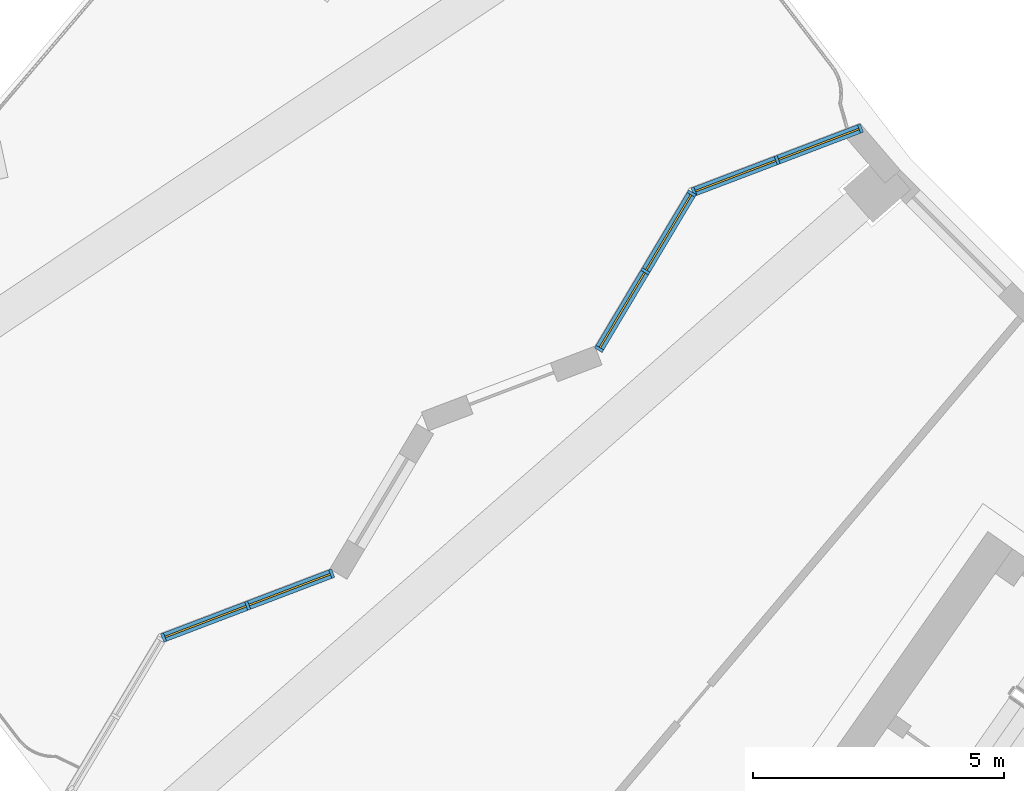
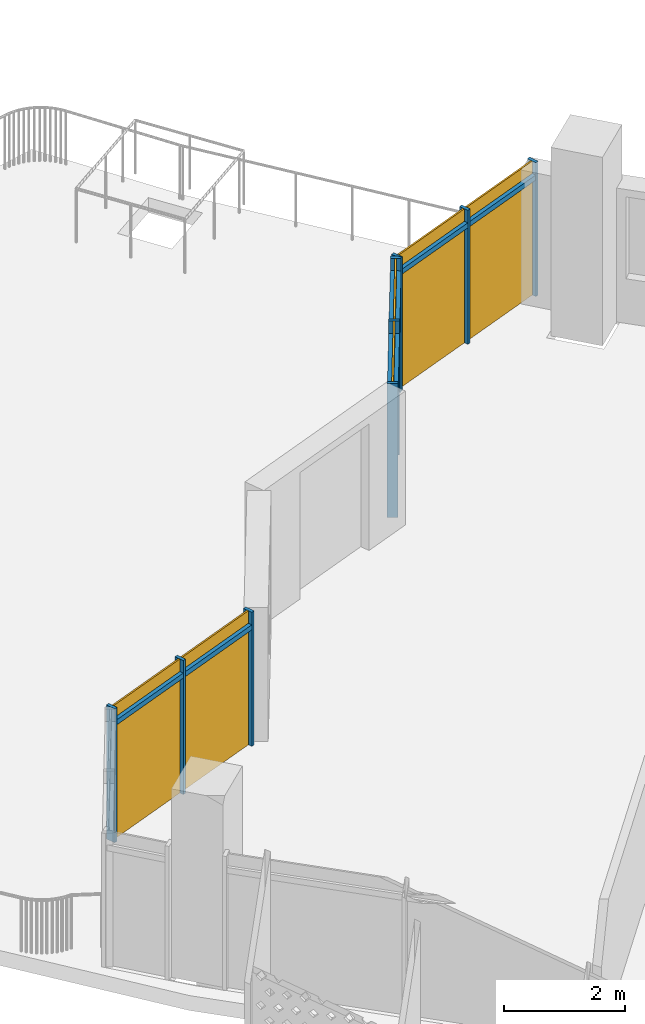
# One storey, part 18 of 29: 15 members, 3 curtain walls.
"""IFC4 building model written with IfcOpenShell, lengths in metres."""

from ifc_helpers import new_model, si_unit, direction, frame, origin, origin_2d, place, context, subcontext, project, spatial, rectangle, extrude, material, material_profile, profile_set, type_object, element, aggregate, save


model = new_model("IFC4")

# Units and contexts
model_context = context("Model", 3, precision=1e-05, world=origin(), true_north=direction((0.0, 1.0)))
body_context = subcontext(model_context, "Body", "Model", "MODEL_VIEW")
ifc_project = project(units=[si_unit("LENGTHUNIT", "METRE"), si_unit("AREAUNIT", "SQUARE_METRE"), si_unit("VOLUMEUNIT", "CUBIC_METRE"), si_unit("PLANEANGLEUNIT", "RADIAN"), si_unit("MASSUNIT", "GRAM", prefix="KILO")], contexts=[model_context])

# Member
ifc_material = material(Name="Aluminium 6063-T6 anodised", Category="aluminium")
ifc_material_profile_1 = material_profile(ifc_material, rectangle(XDim=0.179931640625, YDim=0.06005859375, at=origin_2d()))
ifc_profile_set_1 = profile_set([ifc_material_profile_1], Name="Aluminium 6063-T6 anodised")
member_type_1 = type_object("IfcMemberType", Name="Mullion 60 x 180 aluminium, garden", PredefinedType="MULLION", material=ifc_profile_set_1)
site_placement = place(None, origin())
building_placement = place(site_placement, origin())
storey_placement = place(building_placement, frame((0.0, 0.0, 258.10009765625)))
member_1_placement = place(storey_placement, frame((-44.12255859375, -37.199462890625, 0.0), z_axis=(0.0, 0.0, 1.0), x_axis=(0.35529019294, -0.934756053096, 0.0)))
member_1 = element("IfcMember", 1, at=member_1_placement, type_object=member_type_1, Name="e-cw4-L62-capW0/M00", PredefinedType="MULLION", context=body_context, shape_type="SweptSolid", body=[
    extrude(rectangle(XDim=0.179931640625, YDim=0.06005859375, at=origin_2d()), origin(), (0.0, 0.0, 1.0), 2.699951171875),
])

member_2_placement = place(storey_placement, frame((-45.7802734375, -37.829345703125, 0.0), z_axis=(0.0, 0.0, 1.0), x_axis=(0.35529019294, -0.934756053096, 0.0)))
member_2 = element("IfcMember", 2, at=member_2_placement, type_object=member_type_1, Name="e-cw4-L62-capW0/M01", PredefinedType="MULLION", context=body_context, shape_type="SweptSolid", body=[
    extrude(rectangle(XDim=0.179931640625, YDim=0.06005859375, at=origin_2d()), origin(), (0.0, 0.0, 1.0), 2.699951171875),
])

member_3_placement = place(storey_placement, frame((-47.43798828125, -38.45947265625, 0.0), z_axis=(0.0, 0.0, 1.0), x_axis=(0.35529019294, -0.934756053096, 0.0)))
member_3 = element("IfcMember", 3, at=member_3_placement, type_object=member_type_1, Name="e-cw4-L62-capW0/M02", PredefinedType="MULLION", context=body_context, shape_type="SweptSolid", body=[
    extrude(rectangle(XDim=0.179931640625, YDim=0.06005859375, at=origin_2d()), origin(), (0.0, 0.0, 1.0), 2.699951171875),
])

member_4_placement = place(storey_placement, frame((-47.4814453125, -38.495849609375, 0.0), z_axis=(0.0, 0.0, 1.0), x_axis=(0.858667799365, -0.512532545634, 0.0)))
member_4 = element("IfcMember", 4, at=member_4_placement, type_object=member_type_1, Name="e-cw4-L62-capW1/M00", PredefinedType="MULLION", context=body_context, shape_type="SweptSolid", body=[
    extrude(rectangle(XDim=0.179931640625, YDim=0.06005859375, at=origin_2d()), origin(), (0.0, 0.0, 1.0), 2.699951171875),
])

member_5_placement = place(storey_placement, frame((-48.405029296875, -40.043212890625, 0.0), z_axis=(0.0, 0.0, 1.0), x_axis=(0.858667799365, -0.512532545634, 0.0)))
member_5 = element("IfcMember", 5, at=member_5_placement, type_object=member_type_1, Name="e-cw4-L62-capW1/M01", PredefinedType="MULLION", context=body_context, shape_type="SweptSolid", body=[
    extrude(rectangle(XDim=0.179931640625, YDim=0.06005859375, at=origin_2d()), origin(), (0.0, 0.0, 1.0), 2.699951171875),
])

member_6_placement = place(storey_placement, frame((-49.32861328125, -41.59033203125, 0.0), z_axis=(0.0, 0.0, 1.0), x_axis=(0.858667799365, -0.512532545634, 0.0)))
member_6 = element("IfcMember", 6, at=member_6_placement, type_object=member_type_1, Name="e-cw4-L62-capW1/M02", PredefinedType="MULLION", context=body_context, shape_type="SweptSolid", body=[
    extrude(rectangle(XDim=0.179931640625, YDim=0.06005859375, at=origin_2d()), origin(), (0.0, 0.0, 1.0), 2.699951171875),
])

member_7_placement = place(storey_placement, frame((-54.65380859375, -46.066650390625, 0.0), z_axis=(0.0, 0.0, 1.0), x_axis=(0.355467453613, -0.934688659085, 0.0)))
member_7 = element("IfcMember", 7, at=member_7_placement, type_object=member_type_1, Name="e-cw4-L62-capW4/M00", PredefinedType="MULLION", context=body_context, shape_type="SweptSolid", body=[
    extrude(rectangle(XDim=0.179931640625, YDim=0.06005859375, at=origin_2d()), origin(), (0.0, 0.0, 1.0), 2.699951171875),
])

member_8_placement = place(storey_placement, frame((-56.32861328125, -46.70361328125, 0.0), z_axis=(0.0, 0.0, 1.0), x_axis=(0.355467453613, -0.934688659085, 0.0)))
member_8 = element("IfcMember", 8, at=member_8_placement, type_object=member_type_1, Name="e-cw4-L62-capW4/M01", PredefinedType="MULLION", context=body_context, shape_type="SweptSolid", body=[
    extrude(rectangle(XDim=0.179931640625, YDim=0.06005859375, at=origin_2d()), origin(), (0.0, 0.0, 1.0), 2.699951171875),
])

member_9_placement = place(storey_placement, frame((-58.00341796875, -47.340576171875, 0.0), z_axis=(0.0, 0.0, 1.0), x_axis=(0.355467453613, -0.934688659085, 0.0)))
member_9 = element("IfcMember", 9, at=member_9_placement, type_object=member_type_1, Name="e-cw4-L62-capW4/M02", PredefinedType="MULLION", context=body_context, shape_type="SweptSolid", body=[
    extrude(rectangle(XDim=0.179931640625, YDim=0.06005859375, at=origin_2d()), origin(), (0.0, 0.0, 1.0), 2.699951171875),
])

ifc_material_profile_2 = material_profile(ifc_material, rectangle(XDim=0.179931640625, YDim=0.10009765625, at=origin_2d()))
ifc_profile_set_2 = profile_set([ifc_material_profile_2], Name="Aluminium 6063-T6 anodised")
member_type_2 = type_object("IfcMemberType", Name="Transom 100 x 180 aluminium, garden", PredefinedType="USERDEFINED", material=ifc_profile_set_2)
member_10_placement = place(storey_placement, frame((-44.150634765625, -37.2099609375, 2.39990234375), z_axis=(-0.934726792249, -0.355367167663, 0.0), x_axis=(0.355367167663, -0.934726792249, 0.0)))
member_10 = element("IfcMember", 10, at=member_10_placement, type_object=member_type_2, Name="e-cw4-L62-capW0/T00", ObjectType="TRANSOM", PredefinedType="USERDEFINED", context=body_context, shape_type="SweptSolid", body=[
    extrude(rectangle(XDim=0.179931640625, YDim=0.10009765625, at=origin_2d()), origin(), (0.0, 0.0, 1.0), 1.71337890625),
])

member_11_placement = place(storey_placement, frame((-45.808349609375, -37.840087890625, 2.39990234375), z_axis=(-0.934774117044, -0.355242663688, 0.0), x_axis=(0.355242663688, -0.934774117044, 0.0)))
member_11 = element("IfcMember", 11, at=member_11_placement, type_object=member_type_2, Name="e-cw4-L62-capW0/T01", ObjectType="TRANSOM", PredefinedType="USERDEFINED", context=body_context, shape_type="SweptSolid", body=[
    extrude(rectangle(XDim=0.179931640625, YDim=0.10009765625, at=origin_2d()), origin(), (0.0, 0.0, 1.0), 1.71337890625),
])

member_12_placement = place(storey_placement, frame((-47.496826171875, -38.521728515625, 2.39990234375), z_axis=(-0.512577529294, -0.858640947348, 0.0), x_axis=(0.858640947348, -0.512577529294, 0.0)))
member_12 = element("IfcMember", 12, at=member_12_placement, type_object=member_type_2, Name="e-cw4-L62-capW1/T00", ObjectType="TRANSOM", PredefinedType="USERDEFINED", context=body_context, shape_type="SweptSolid", body=[
    extrude(rectangle(XDim=0.179931640625, YDim=0.10009765625, at=origin_2d()), origin(), (0.0, 0.0, 1.0), 1.741943359375),
])

member_13_placement = place(storey_placement, frame((-48.42041015625, -40.06884765625, 2.39990234375), z_axis=(-0.512515846674, -0.858677766632, 0.0), x_axis=(0.858677766632, -0.512515846674, 0.0)))
member_13 = element("IfcMember", 13, at=member_13_placement, type_object=member_type_2, Name="e-cw4-L62-capW1/T01", ObjectType="TRANSOM", PredefinedType="USERDEFINED", context=body_context, shape_type="SweptSolid", body=[
    extrude(rectangle(XDim=0.179931640625, YDim=0.10009765625, at=origin_2d()), origin(), (0.0, 0.0, 1.0), 1.741943359375),
])

member_14_placement = place(storey_placement, frame((-54.681884765625, -46.077392578125, 2.39990234375), z_axis=(-0.93470865866, -0.355414861008, 0.0), x_axis=(0.355414861008, -0.93470865866, 0.0)))
member_14 = element("IfcMember", 14, at=member_14_placement, type_object=member_type_2, Name="e-cw4-L62-capW4/T00", ObjectType="TRANSOM", PredefinedType="USERDEFINED", context=body_context, shape_type="SweptSolid", body=[
    extrude(rectangle(XDim=0.179931640625, YDim=0.10009765625, at=origin_2d()), origin(), (0.0, 0.0, 1.0), 1.731689453125),
])

member_15_placement = place(storey_placement, frame((-56.356689453125, -46.71435546875, 2.39990234375), z_axis=(-0.93470865866, -0.355414861008, 0.0), x_axis=(0.355414861008, -0.93470865866, 0.0)))
member_15 = element("IfcMember", 15, at=member_15_placement, type_object=member_type_2, Name="e-cw4-L62-capW4/T01", ObjectType="TRANSOM", PredefinedType="USERDEFINED", context=body_context, shape_type="SweptSolid", body=[
    extrude(rectangle(XDim=0.179931640625, YDim=0.10009765625, at=origin_2d()), origin(), (0.0, 0.0, 1.0), 1.731689453125),
])

# Site, building, storey
site = spatial("IfcSite", under=ifc_project, at=site_placement, CompositionType="ELEMENT")
building = spatial("IfcBuilding", under=site, at=building_placement, Name="Qamariyya Broadcast Tower", CompositionType="ELEMENT")
storey = spatial("IfcBuildingStorey", under=building, at=storey_placement, Name="L62", CompositionType="ELEMENT", Elevation=258.10009765625)

# Curtain wall
curtain_wall_type = type_object("IfcCurtainWallType", Name="Sky garden enclosure curtain wall", PredefinedType="NOTDEFINED", material=ifc_material)
curtain_wall_1_placement = place(storey_placement, origin())
curtain_wall_1 = element("IfcCurtainWall", 16, at=curtain_wall_1_placement, inside=storey, type_object=curtain_wall_type, Name="e-cw4-L62-capW0", PredefinedType="NOTDEFINED", context=body_context, shape_type="SweptSolid", body=[
    extrude(rectangle(XDim=1.71337890625, YDim=0.031982421875, at=origin_2d()), frame((-44.951416015625, -37.514404296875, 0.0), x_axis=(-0.934756607216, -0.355288735067, 0.0)), (0.0, 0.0, 1.0), 2.35009765625),
    extrude(rectangle(XDim=1.71337890625, YDim=0.031982421875, at=origin_2d()), frame((-44.951416015625, -37.514404296875, 2.449951171875), x_axis=(-0.934756607216, -0.355288735067, 0.0)), (0.0, 0.0, 1.0), 0.25),
    extrude(rectangle(XDim=1.71337890625, YDim=0.031982421875, at=origin_2d()), frame((-46.609130859375, -38.14453125, 0.0), x_axis=(-0.934756607216, -0.355288735067, 0.0)), (0.0, 0.0, 1.0), 2.35009765625),
    extrude(rectangle(XDim=1.71337890625, YDim=0.031982421875, at=origin_2d()), frame((-46.609130859375, -38.14453125, 2.449951171875), x_axis=(-0.934756607216, -0.355288735067, 0.0)), (0.0, 0.0, 1.0), 0.25),
])

aggregate(curtain_wall_1, [member_1, member_2, member_3, member_10, member_11])

curtain_wall_2_placement = place(storey_placement, origin())
curtain_wall_2 = element("IfcCurtainWall", 17, at=curtain_wall_2_placement, inside=storey, type_object=curtain_wall_type, Name="e-cw4-L62-capW1", PredefinedType="NOTDEFINED", context=body_context, shape_type="SweptSolid", body=[
    extrude(rectangle(XDim=1.741943359375, YDim=0.031982421875, at=origin_2d()), frame((-47.943115234375, -39.26953125, 0.0), x_axis=(-0.51255419239, -0.858654878204, 0.0)), (0.0, 0.0, 1.0), 2.35009765625),
    extrude(rectangle(XDim=1.741943359375, YDim=0.031982421875, at=origin_2d()), frame((-47.943115234375, -39.26953125, 2.449951171875), x_axis=(-0.51255419239, -0.858654878204, 0.0)), (0.0, 0.0, 1.0), 0.25),
    extrude(rectangle(XDim=1.741943359375, YDim=0.031982421875, at=origin_2d()), frame((-48.866943359375, -40.81689453125, 0.0), x_axis=(-0.51255419239, -0.858654878204, 0.0)), (0.0, 0.0, 1.0), 2.35009765625),
    extrude(rectangle(XDim=1.741943359375, YDim=0.031982421875, at=origin_2d()), frame((-48.866943359375, -40.81689453125, 2.449951171875), x_axis=(-0.51255419239, -0.858654878204, 0.0)), (0.0, 0.0, 1.0), 0.25),
])

aggregate(curtain_wall_2, [member_4, member_5, member_6, member_12, member_13])

curtain_wall_3_placement = place(storey_placement, origin())
curtain_wall_3 = element("IfcCurtainWall", 18, at=curtain_wall_3_placement, inside=storey, type_object=curtain_wall_type, Name="e-cw4-L62-capW4", PredefinedType="NOTDEFINED", context=body_context, shape_type="SweptSolid", body=[
    extrude(rectangle(XDim=1.73193359375, YDim=0.031982421875, at=origin_2d()), frame((-55.4912109375, -46.385009765625, 0.0), x_axis=(-0.934672294769, -0.355510480003, 0.0)), (0.0, 0.0, 1.0), 2.35009765625),
    extrude(rectangle(XDim=1.73193359375, YDim=0.031982421875, at=origin_2d()), frame((-55.4912109375, -46.385009765625, 2.449951171875), x_axis=(-0.934672294769, -0.355510480003, 0.0)), (0.0, 0.0, 1.0), 0.25),
    extrude(rectangle(XDim=1.73193359375, YDim=0.031982421875, at=origin_2d()), frame((-57.166015625, -47.022216796875, 0.0), x_axis=(-0.934672294769, -0.355510480003, 0.0)), (0.0, 0.0, 1.0), 2.35009765625),
    extrude(rectangle(XDim=1.73193359375, YDim=0.031982421875, at=origin_2d()), frame((-57.166015625, -47.022216796875, 2.449951171875), x_axis=(-0.934672294769, -0.355510480003, 0.0)), (0.0, 0.0, 1.0), 0.25),
])

aggregate(curtain_wall_3, [member_7, member_8, member_9, member_14, member_15])

save(model, "model.ifc")
